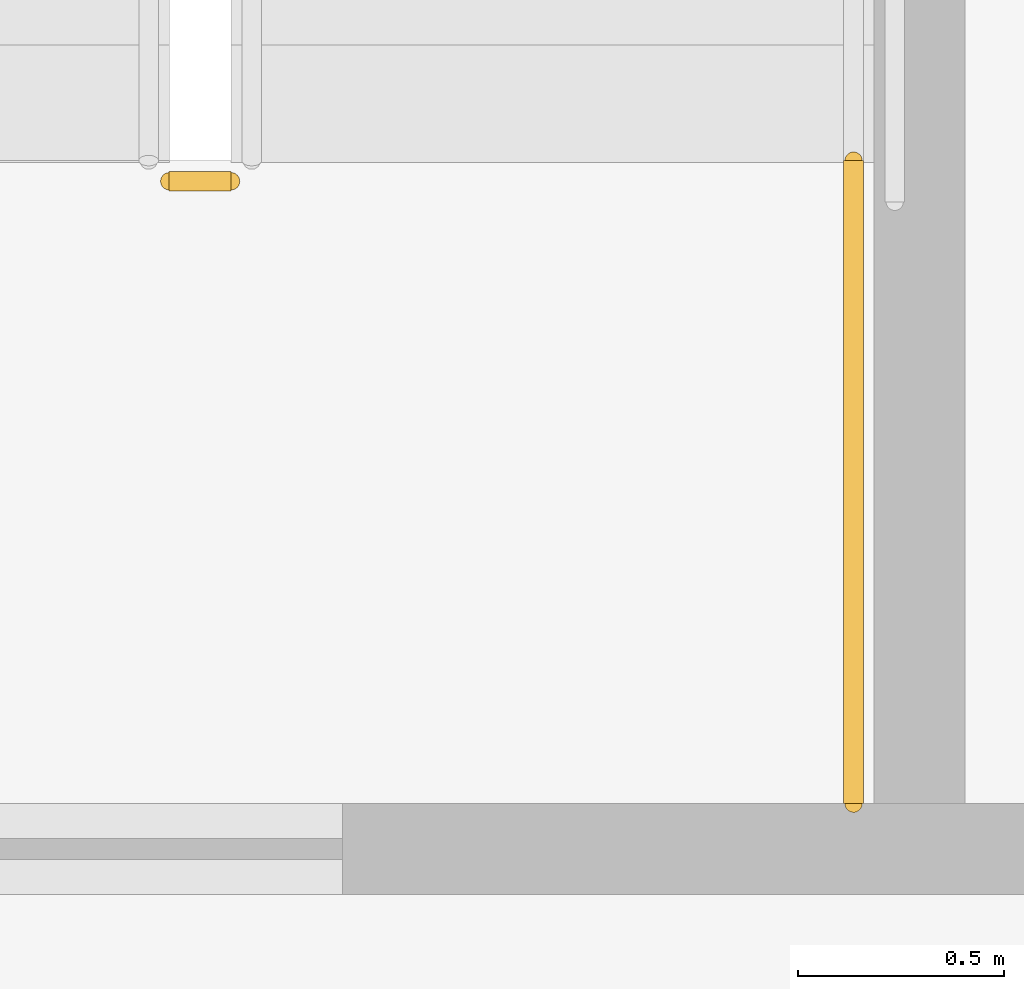
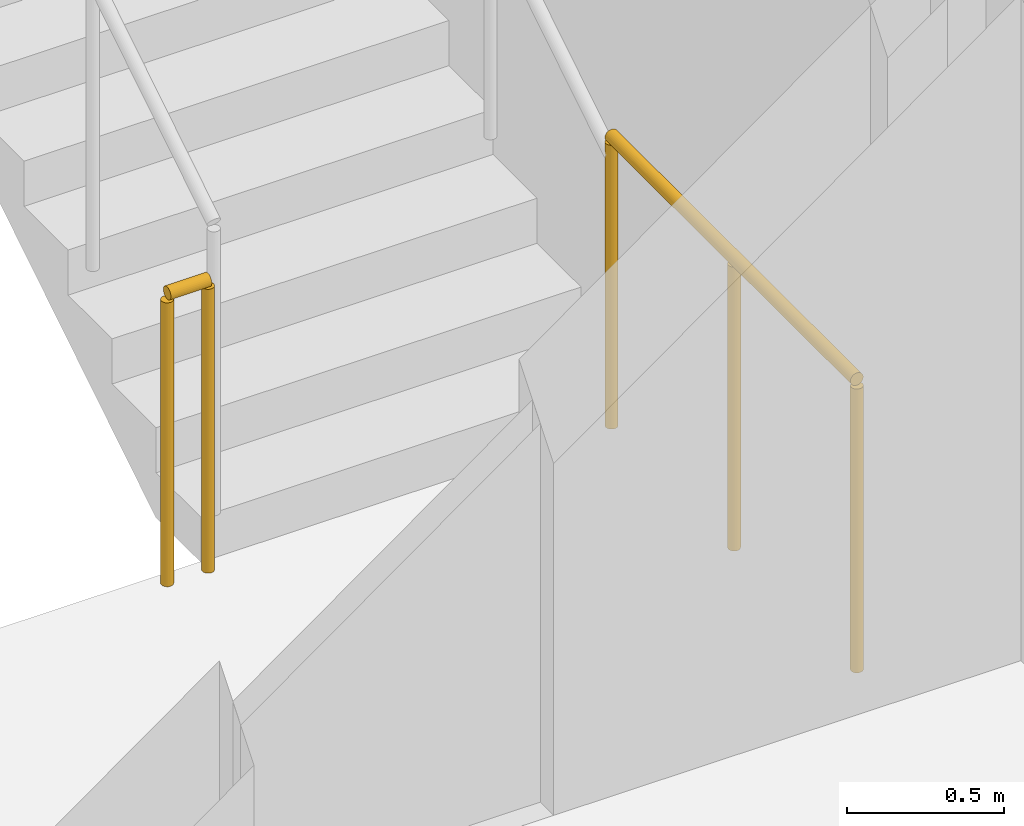
# One storey, part 12 of 15: 2 railings.
"""IFC4 building model written with IfcOpenShell, lengths in metres."""

from ifc_helpers import new_model, si_unit, direction, frame, origin, origin_2d, place, context, subcontext, project, spatial, circle, extrude, material, type_object, element, save


model = new_model("IFC4")

# Units and contexts
model_context = context("Model", 3, precision=1e-05, world=origin(), true_north=direction((0.0, 1.0)))
body_context = subcontext(model_context, "Body", "Model", "MODEL_VIEW")
ifc_project = project(units=[si_unit("LENGTHUNIT", "METRE"), si_unit("AREAUNIT", "SQUARE_METRE"), si_unit("VOLUMEUNIT", "CUBIC_METRE"), si_unit("PLANEANGLEUNIT", "RADIAN"), si_unit("MASSUNIT", "GRAM", prefix="KILO")], contexts=[model_context])

# Site, building, storey
site_placement = place(None, origin())
site = spatial("IfcSite", under=ifc_project, at=site_placement, CompositionType="ELEMENT")
building_placement = place(site_placement, origin())
building = spatial("IfcBuilding", under=site, at=building_placement, Name="Khairoan Windgate Tower", CompositionType="ELEMENT")
storey_placement = place(building_placement, frame((0.0, 0.0, 101.60009765625)))
storey = spatial("IfcBuildingStorey", under=building, at=storey_placement, Name="L23", CompositionType="ELEMENT", Elevation=101.60009765625)

# Railings
ifc_material = material(Name="Steel S355", Category="steel")
railing_type = type_object("IfcRailingType", Name="Stairwell Safety Guardrail SGR-1150", PredefinedType="GUARDRAIL", material=ifc_material)
railing_1_placement = place(storey_placement, frame((-17.7099609375, 2.909912109375, 0.0)))
element("IfcRailing", 1, at=railing_1_placement, inside=storey, type_object=railing_type, Name="L23 ST2 stair guard 7", PredefinedType="GUARDRAIL", context=body_context, shape_type="SweptSolid", body=[
    extrude(circle(Radius=0.02392578125, at=origin_2d()), frame((0.0, 0.0, 1.1259765625), z_axis=(-1.0, 0.0, 0.0), x_axis=(0.0, -1.0, 0.0)), (0.0, 0.0, 1.0), 0.150146484375),
    extrude(circle(Radius=0.02099609375, at=origin_2d()), origin(), (0.0, 0.0, 1.0), 1.101806640625),
    extrude(circle(Radius=0.02099609375, at=origin_2d()), frame((-0.150146484375, 0.0, 0.0)), (0.0, 0.0, 1.0), 1.101806640625),
])
railing_2_placement = place(storey_placement, frame((-16.199951171875, 1.39990234375, 0.0)))
element("IfcRailing", 2, at=railing_2_placement, inside=storey, type_object=railing_type, Name="L23 ST2 stair guard 8", PredefinedType="GUARDRAIL", context=body_context, shape_type="SweptSolid", body=[
    extrude(circle(Radius=0.02392578125, at=origin_2d()), frame((0.0, 0.0, 1.1259765625), z_axis=(0.0, 1.0, 0.0), x_axis=(-1.0, 0.0, 0.0)), (0.0, 0.0, 1.0), 1.56005859375),
    extrude(circle(Radius=0.02099609375, at=origin_2d()), origin(), (0.0, 0.0, 1.0), 1.101806640625),
    extrude(circle(Radius=0.02099609375, at=origin_2d()), frame((0.0, 0.780029296875, 0.0)), (0.0, 0.0, 1.0), 1.101806640625),
    extrude(circle(Radius=0.02099609375, at=origin_2d()), frame((0.0, 1.56005859375, 0.0)), (0.0, 0.0, 1.0), 1.101806640625),
])

save(model, "model.ifc")
